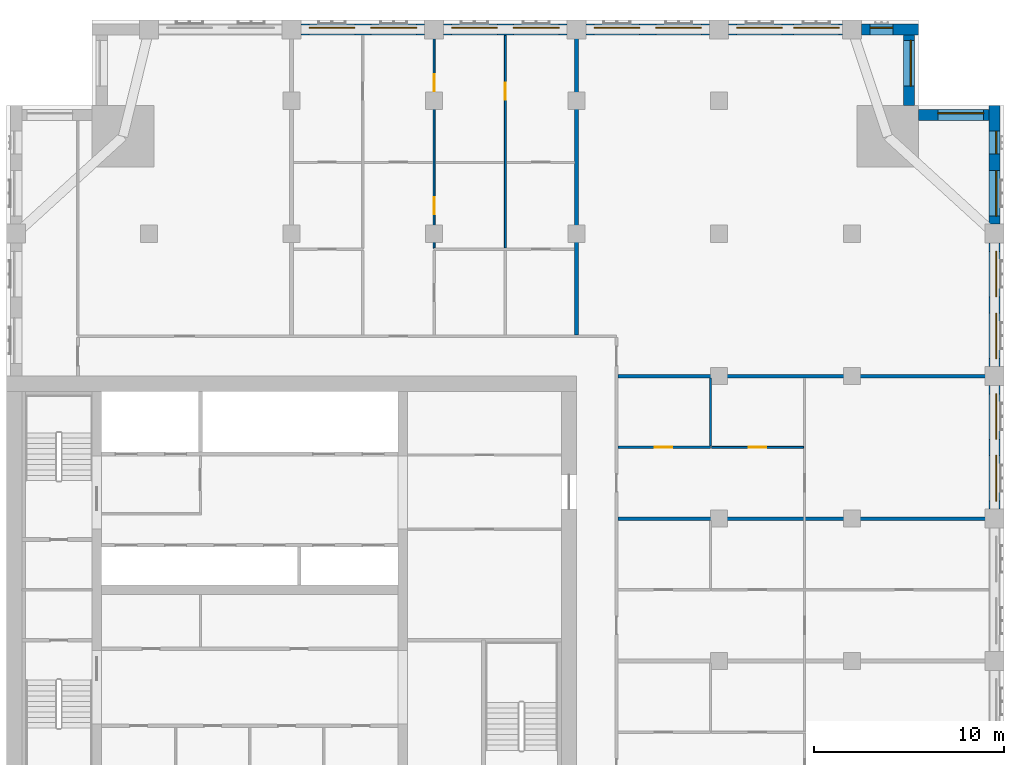
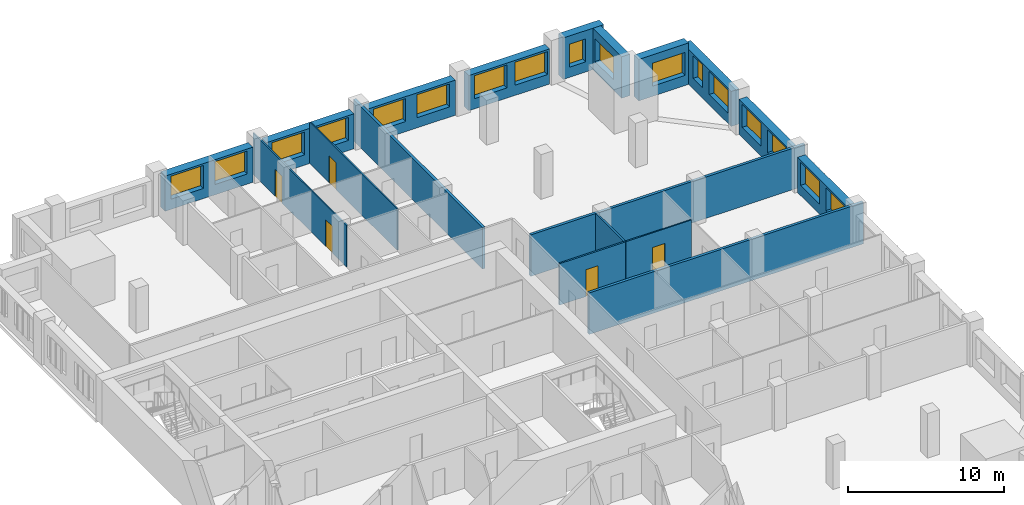
# One storey, part 11 of 14: 18 walls, 17 windows, 5 doors, 22 openings.
"""IFC4 building model written with IfcOpenShell, lengths in metres."""

import ifcopenshell
import ifcopenshell.guid

model = None  # the IFC model being written
_history = None  # IfcOwnerHistory: only IFC2X3 demands one
_inside = {}  # id of a spatial element -> (the spatial element, [elements in it])
_under = {}  # id of a project, library or spatial element -> (it, [spatial elements below it])
_declared = {}  # id of a project -> (the project, [libraries it declares])
_typed = {}  # id of a type object -> (the type object, [elements of that type])
_made_of = {}  # id of a material, layer set ... -> (it, [elements and type objects made of it])


def new_model(schema):
    """Start an empty IFC model of exactly this schema.

    Asked for "IFC4X3", IfcOpenShell would pick the latest addendum, in which some entities
    have other attributes; the version numbers below select the first issue.
    IFC2X3 requires an IfcOwnerHistory on every rooted entity: one is made here for all.
    """
    global model, _history
    if schema == "IFC4X3":
        model = ifcopenshell.file(schema_version=(4, 3, 0, 0))
    else:
        model = ifcopenshell.file(schema=schema)
    _inside.clear()
    _under.clear()
    _declared.clear()
    _typed.clear()
    _made_of.clear()
    _history = None
    if model.schema == "IFC2X3":
        org = make("IfcOrganization", Name="unknown")
        user = make(
            "IfcPersonAndOrganization",
            ThePerson=make("IfcPerson", FamilyName="unknown"),
            TheOrganization=org,
        )
        app = make(
            "IfcApplication",
            ApplicationDeveloper=org,
            Version="unknown",
            ApplicationFullName="unknown",
            ApplicationIdentifier="unknown",
        )
        _history = make(
            "IfcOwnerHistory",
            OwningUser=user,
            OwningApplication=app,
            ChangeAction="ADDED",
            CreationDate=0,
        )
    return model


def make(cls, **values):
    """One entity of the class cls with the attributes given. An attribute that is None is left unset."""
    return model.create_entity(
        cls, **{name: value for name, value in values.items() if value is not None}
    )


def rooted(cls, **values):
    """An entity with a GlobalId (a new one), such as an element, a storey or a relation."""
    return make(cls, GlobalId=ifcopenshell.guid.new(), OwnerHistory=_history, **values)


def si_unit(unit_type, name, prefix=None):
    """IfcSIUnit, for example si_unit("LENGTHUNIT", "METRE", prefix="MILLI")."""
    return make("IfcSIUnit", UnitType=unit_type, Prefix=prefix, Name=name)


def assignment(units):
    """IfcUnitAssignment: the units of a project."""
    return None if units is None else make("IfcUnitAssignment", Units=units)


def point(xyz):
    """IfcCartesianPoint."""
    return None if xyz is None else make("IfcCartesianPoint", Coordinates=xyz)


def direction(xyz):
    """IfcDirection."""
    return None if xyz is None else make("IfcDirection", DirectionRatios=xyz)


def frame(location, z_axis=None, x_axis=None):
    """IfcAxis2Placement3D, a coordinate frame: its origin and axes. An axis left out is left unset."""
    return make(
        "IfcAxis2Placement3D",
        Location=point(location),
        Axis=direction(z_axis),
        RefDirection=direction(x_axis),
    )


def frame_2d(location, x_axis=None):
    """IfcAxis2Placement2D, a coordinate frame in the plane: its origin and x axis."""
    return make(
        "IfcAxis2Placement2D", Location=point(location), RefDirection=direction(x_axis)
    )


def origin():
    """The frame at (0, 0, 0) with its axes left unset."""
    return frame((0.0, 0.0, 0.0))


def place(relative_to, where):
    """IfcLocalPlacement: puts the frame where relative to a parent placement (None: the world)."""
    return make(
        "IfcLocalPlacement", PlacementRelTo=relative_to, RelativePlacement=where
    )


def context(
    kind, dimensions, precision=None, world=None, true_north=None, identifier=None
):
    """IfcGeometricRepresentationContext, for example the 3D "Model" context."""
    return make(
        "IfcGeometricRepresentationContext",
        ContextIdentifier=identifier,
        ContextType=kind,
        CoordinateSpaceDimension=dimensions,
        Precision=precision,
        WorldCoordinateSystem=world,
        TrueNorth=true_north,
    )


def subcontext(parent, identifier, kind, view, scale=None):
    """IfcGeometricRepresentationSubContext, for example "Body" below "Model"."""
    return make(
        "IfcGeometricRepresentationSubContext",
        ContextIdentifier=identifier,
        ContextType=kind,
        ParentContext=parent,
        TargetScale=scale,
        TargetView=view,
    )


def project(units=None, contexts=None):
    """IfcProject with its units and contexts."""
    return rooted(
        "IfcProject",
        Name="project",
        RepresentationContexts=contexts,
        UnitsInContext=assignment(units),
    )


def spatial(cls, under=None, at=None, **own):
    """A site, building, storey or space (cls), placed at a placement, below another one or the project."""
    s = rooted(cls, ObjectPlacement=at, **own)
    if under is not None:
        _under.setdefault(under.id(), (under, []))[1].append(s)
    return s


def profile(cls, at=None, kind="AREA", **sizes):
    """A parametric profile (cls). Its sizes go by their IFC names, for example OverallWidth=200.0."""
    return make(cls, ProfileType=kind, Position=at, **sizes)


def rectangle(**sizes):
    """IfcRectangleProfileDef."""
    return profile("IfcRectangleProfileDef", **sizes)


def extrude(swept, where, along, depth):
    """IfcExtrudedAreaSolid: the profile swept, set in the frame where, extruded along a direction by depth."""
    return make(
        "IfcExtrudedAreaSolid",
        SweptArea=swept,
        Position=where,
        ExtrudedDirection=direction(along),
        Depth=depth,
    )


def shape(context_of_items, identifier, shape_type, items):
    """IfcShapeRepresentation: the items that make up one representation, for example the "Body"."""
    return make(
        "IfcShapeRepresentation",
        ContextOfItems=context_of_items,
        RepresentationIdentifier=identifier,
        RepresentationType=shape_type,
        Items=items,
    )


def material(Name=None, Category=None):
    """IfcMaterial."""
    return make("IfcMaterial", Name=Name, Category=Category)


def layer(
    of_material, thickness, ventilated=None, Name=None, Category=None, Priority=None
):
    """IfcMaterialLayer: one layer of a wall or slab, of a material (None: an air gap)."""
    return make(
        "IfcMaterialLayer",
        Material=of_material,
        LayerThickness=thickness,
        IsVentilated=ventilated,
        Name=Name,
        Category=Category,
        Priority=Priority,
    )


def layer_set(layers, Name=None):
    """IfcMaterialLayerSet."""
    return make("IfcMaterialLayerSet", MaterialLayers=layers, LayerSetName=Name)


def made_of(thing, what):
    """Note that an element or type object is made of a material, layer set ...; save() writes the relation."""
    if what is not None:
        _made_of.setdefault(what.id(), (what, []))[1].append(thing)
    return thing


def type_object(cls, material=None, **own):
    """A type object (cls), such as IfcWallType, which elements share."""
    return made_of(rooted(cls, **own), material)


def element(
    cls,
    number,
    at=None,
    inside=None,
    cuts=None,
    type_object=None,
    material=None,
    context=None,
    identifier="Body",
    shape_type=None,
    held_by="IfcProductDefinitionShape",
    body=None,
    shapes=None,
    **own,
):
    """One element of the class cls, such as IfcWall. Its Tag is "e" and its number.

    at: its placement. inside: the storey or other place that contains it. cuts: it is an
    opening in that element (IfcRelVoidsElement). A single representation is given by context,
    identifier, shape_type and body (its items); several are given by shapes. held_by: the class
    of the entity that holds the representations. save() writes the other relations.
    """
    e = rooted(cls, Tag="e%d" % number, ObjectPlacement=at, **own)
    if body is not None:
        shapes = [shape(context, identifier, shape_type, body)]
    if shapes is not None:
        e.Representation = make(held_by, Representations=shapes)
    if inside is not None:
        _inside.setdefault(inside.id(), (inside, []))[1].append(e)
    if cuts is not None:
        rooted(
            "IfcRelVoidsElement", RelatingBuildingElement=cuts, RelatedOpeningElement=e
        )
    if type_object is not None:
        _typed.setdefault(type_object.id(), (type_object, []))[1].append(e)
    return made_of(e, material)


def fill(opening, filler):
    """IfcRelFillsElement: the door or window that sits in an opening."""
    return rooted(
        "IfcRelFillsElement",
        RelatingOpeningElement=opening,
        RelatedBuildingElement=filler,
    )


def aggregate(whole, parts):
    """IfcRelAggregates: a whole, such as a stair, and the parts it consists of."""
    return rooted("IfcRelAggregates", RelatingObject=whole, RelatedObjects=parts)


def save(model, path):
    """Write the relations noted so far, then the file.

    IfcRelAggregates (storeys below a building ...), IfcRelContainedInSpatialStructure (elements
    in a storey), IfcRelDefinesByType, IfcRelAssociatesMaterial and IfcRelDeclares: one each for
    every whole, place, type object, material and project.
    """
    for whole, parts in _under.values():
        aggregate(whole, parts)
    for where, things in _inside.values():
        rooted(
            "IfcRelContainedInSpatialStructure",
            RelatedElements=things,
            RelatingStructure=where,
        )
    for kind, things in _typed.values():
        rooted("IfcRelDefinesByType", RelatedObjects=things, RelatingType=kind)
    for what, things in _made_of.values():
        rooted("IfcRelAssociatesMaterial", RelatedObjects=things, RelatingMaterial=what)
    for by, libraries in _declared.values():
        rooted("IfcRelDeclares", RelatingContext=by, RelatedDefinitions=libraries)
    model.write(path)


model = new_model("IFC4")

# Units and contexts
model_context = context("Model", 3, precision=1e-05, world=origin(), true_north=direction((0.0, 1.0)))
body_context = subcontext(model_context, "Body", "Model", "MODEL_VIEW")
ifc_project = project(units=[si_unit("LENGTHUNIT", "METRE"), si_unit("AREAUNIT", "SQUARE_METRE"), si_unit("VOLUMEUNIT", "CUBIC_METRE"), si_unit("PLANEANGLEUNIT", "RADIAN"), si_unit("MASSUNIT", "GRAM", prefix="KILO")], contexts=[model_context])

# Site, building, storey
site_placement = place(None, origin())
site = spatial("IfcSite", under=ifc_project, at=site_placement, CompositionType="ELEMENT")
building_placement = place(site_placement, origin())
building = spatial("IfcBuilding", under=site, at=building_placement, Name="Tamorin Gate", CompositionType="ELEMENT")
storey_placement = place(building_placement, frame((0.0, 0.0, 186.199951171875)))
storey = spatial("IfcBuildingStorey", under=building, at=storey_placement, Name="L45", CompositionType="ELEMENT", Elevation=186.199951171875)

# Wall, openings, windows
ifc_material_1 = material(Name="Precast concrete C40/50", Category="concrete")
ifc_layer_1 = layer(ifc_material_1, 0.60009765625)
ifc_layer_set_1 = layer_set([ifc_layer_1], Name="Precast concrete C40/50")
wall_type_1 = type_object("IfcWallType", Name="Board-marked concrete facade panel 600", PredefinedType="SOLIDWALL", material=ifc_layer_set_1)
wall_1_placement = place(storey_placement, frame((82.0, 75.5, 0.0), z_axis=(0.0, 0.0, 1.0), x_axis=(0.0, 1.0, 0.0)))
wall_1 = element("IfcWall", 1, at=wall_1_placement, inside=storey, type_object=wall_type_1, Name="Facade panel", PredefinedType="SOLIDWALL", context=body_context, shape_type="SweptSolid", body=[
    extrude(rectangle(XDim=6.5, YDim=0.60009765625, at=frame_2d((3.25, 0.0))), origin(), (0.0, 0.0, 1.0), 2.75),
])
opening_1_placement = place(wall_1_placement, frame((0.425048828125, 0.0, 0.800048828125)))
opening_1 = element("IfcOpeningElement", 2, at=opening_1_placement, cuts=wall_1, Name="Opening WN1", PredefinedType="OPENING", context=body_context, shape_type="SweptSolid", body=[
    extrude(rectangle(XDim=2.39990234375, YDim=1.800048828125, at=frame_2d((1.199951171875, 0.89990234375))), frame((0.0, 0.31005859375, 0.0), z_axis=(0.0, -1.0, 0.0), x_axis=(1.0, 0.0, 0.0)), (0.0, 0.0, 1.0), 0.6201171875),
])
opening_2_placement = place(wall_1_placement, frame((3.675048828125, 0.0, 0.800048828125)))
opening_2 = element("IfcOpeningElement", 3, at=opening_2_placement, cuts=wall_1, Name="Opening WN1", PredefinedType="OPENING", context=body_context, shape_type="SweptSolid", body=[
    extrude(rectangle(XDim=2.39990234375, YDim=1.800048828125, at=frame_2d((1.199951171875, 0.89990234375))), frame((0.0, 0.31005859375, 0.0), z_axis=(0.0, -1.0, 0.0), x_axis=(1.0, 0.0, 0.0)), (0.0, 0.0, 1.0), 0.6201171875),
])
ifc_material_2 = material(Name="Clear glass in aluminium frame", Category="aluminium")
window_type_1 = type_object("IfcWindowType", Name="Deep-set window 2400x1800", PartitioningType="SINGLE_PANEL", PredefinedType="WINDOW", material=ifc_material_2)
window_1_placement = place(opening_1_placement, origin())
window_1 = element("IfcWindow", 4, at=window_1_placement, inside=storey, type_object=window_type_1, Name="Deep-set window", OverallHeight=1.800048828125, OverallWidth=2.39990234375, PartitioningType="SINGLE_PANEL", PredefinedType="WINDOW", context=body_context, shape_type="SweptSolid", body=[
    extrude(rectangle(XDim=2.39990234375, YDim=1.800048828125, at=frame_2d((1.199951171875, 0.89990234375))), frame((0.0, -0.070068359375, 0.0), z_axis=(0.0, -1.0, 0.0), x_axis=(1.0, 0.0, 0.0)), (0.0, 0.0, 1.0), 0.06005859375),
])
fill(opening_1, window_1)
window_2_placement = place(opening_2_placement, origin())
window_2 = element("IfcWindow", 5, at=window_2_placement, inside=storey, type_object=window_type_1, Name="Deep-set window", OverallHeight=1.800048828125, OverallWidth=2.39990234375, PartitioningType="SINGLE_PANEL", PredefinedType="WINDOW", context=body_context, shape_type="SweptSolid", body=[
    extrude(rectangle(XDim=2.39990234375, YDim=1.800048828125, at=frame_2d((1.199951171875, 0.89990234375))), frame((0.0, -0.070068359375, 0.0), z_axis=(0.0, -1.0, 0.0), x_axis=(1.0, 0.0, 0.0)), (0.0, 0.0, 1.0), 0.06005859375),
])
fill(opening_2, window_2)

wall_2_placement = place(storey_placement, frame((82.0, 83.0, 0.0), z_axis=(0.0, 0.0, 1.0), x_axis=(0.0, 1.0, 0.0)))
wall_2 = element("IfcWall", 6, at=wall_2_placement, inside=storey, type_object=wall_type_1, Name="Facade panel", PredefinedType="SOLIDWALL", context=body_context, shape_type="SweptSolid", body=[
    extrude(rectangle(XDim=6.5, YDim=0.60009765625, at=frame_2d((3.25, 0.0))), origin(), (0.0, 0.0, 1.0), 2.75),
])
opening_3_placement = place(wall_2_placement, frame((0.425048828125, 0.0, 0.800048828125)))
opening_3 = element("IfcOpeningElement", 7, at=opening_3_placement, cuts=wall_2, Name="Opening WN1", PredefinedType="OPENING", context=body_context, shape_type="SweptSolid", body=[
    extrude(rectangle(XDim=2.39990234375, YDim=1.800048828125, at=frame_2d((1.199951171875, 0.89990234375))), frame((0.0, 0.31005859375, 0.0), z_axis=(0.0, -1.0, 0.0), x_axis=(1.0, 0.0, 0.0)), (0.0, 0.0, 1.0), 0.6201171875),
])
opening_4_placement = place(wall_2_placement, frame((3.675048828125, 0.0, 0.800048828125)))
opening_4 = element("IfcOpeningElement", 8, at=opening_4_placement, cuts=wall_2, Name="Opening WN1", PredefinedType="OPENING", context=body_context, shape_type="SweptSolid", body=[
    extrude(rectangle(XDim=2.39990234375, YDim=1.800048828125, at=frame_2d((1.199951171875, 0.89990234375))), frame((0.0, 0.31005859375, 0.0), z_axis=(0.0, -1.0, 0.0), x_axis=(1.0, 0.0, 0.0)), (0.0, 0.0, 1.0), 0.6201171875),
])
window_3_placement = place(opening_3_placement, origin())
window_3 = element("IfcWindow", 9, at=window_3_placement, inside=storey, type_object=window_type_1, Name="Deep-set window", OverallHeight=1.800048828125, OverallWidth=2.39990234375, PartitioningType="SINGLE_PANEL", PredefinedType="WINDOW", context=body_context, shape_type="SweptSolid", body=[
    extrude(rectangle(XDim=2.39990234375, YDim=1.800048828125, at=frame_2d((1.199951171875, 0.89990234375))), frame((0.0, -0.070068359375, 0.0), z_axis=(0.0, -1.0, 0.0), x_axis=(1.0, 0.0, 0.0)), (0.0, 0.0, 1.0), 0.06005859375),
])
fill(opening_3, window_3)
window_4_placement = place(opening_4_placement, origin())
window_4 = element("IfcWindow", 10, at=window_4_placement, inside=storey, type_object=window_type_1, Name="Deep-set window", OverallHeight=1.800048828125, OverallWidth=2.39990234375, PartitioningType="SINGLE_PANEL", PredefinedType="WINDOW", context=body_context, shape_type="SweptSolid", body=[
    extrude(rectangle(XDim=2.39990234375, YDim=1.800048828125, at=frame_2d((1.199951171875, 0.89990234375))), frame((0.0, -0.070068359375, 0.0), z_axis=(0.0, -1.0, 0.0), x_axis=(1.0, 0.0, 0.0)), (0.0, 0.0, 1.0), 0.06005859375),
])
fill(opening_4, window_4)

wall_3_placement = place(storey_placement, frame((82.0, 90.5, 0.0), z_axis=(0.0, 0.0, 1.0), x_axis=(0.0, 1.0, 0.0)))
wall_3 = element("IfcWall", 11, at=wall_3_placement, inside=storey, type_object=wall_type_1, Name="Facade panel", PredefinedType="SOLIDWALL", context=body_context, shape_type="SweptSolid", body=[
    extrude(rectangle(XDim=6.25, YDim=0.60009765625, at=frame_2d((3.125, 0.0))), origin(), (0.0, 0.0, 1.0), 2.75),
])
opening_5_placement = place(wall_3_placement, frame((0.425048828125, 0.0, 0.800048828125)))
opening_5 = element("IfcOpeningElement", 12, at=opening_5_placement, cuts=wall_3, Name="Opening WN1", PredefinedType="OPENING", context=body_context, shape_type="SweptSolid", body=[
    extrude(rectangle(XDim=2.39990234375, YDim=1.800048828125, at=frame_2d((1.199951171875, 0.89990234375))), frame((0.0, 0.31005859375, 0.0), z_axis=(0.0, -1.0, 0.0), x_axis=(1.0, 0.0, 0.0)), (0.0, 0.0, 1.0), 0.6201171875),
])
opening_6_placement = place(wall_3_placement, frame((3.699951171875, 0.0, 0.800048828125)))
opening_6 = element("IfcOpeningElement", 13, at=opening_6_placement, cuts=wall_3, Name="Opening WN3", PredefinedType="OPENING", context=body_context, shape_type="SweptSolid", body=[
    extrude(rectangle(XDim=1.199951171875, YDim=1.800048828125, at=frame_2d((0.60009765625, 0.89990234375))), frame((0.0, 0.31005859375, 0.0), z_axis=(0.0, -1.0, 0.0), x_axis=(1.0, 0.0, 0.0)), (0.0, 0.0, 1.0), 0.6201171875),
])
window_type_2 = type_object("IfcWindowType", Name="Deep-set window 1200x1800", PartitioningType="SINGLE_PANEL", PredefinedType="WINDOW", material=ifc_material_2)
window_5_placement = place(opening_6_placement, origin())
window_5 = element("IfcWindow", 14, at=window_5_placement, inside=storey, type_object=window_type_2, Name="Deep-set window", OverallHeight=1.800048828125, OverallWidth=1.199951171875, PartitioningType="SINGLE_PANEL", PredefinedType="WINDOW", context=body_context, shape_type="SweptSolid", body=[
    extrude(rectangle(XDim=1.199951171875, YDim=1.800048828125, at=frame_2d((0.60009765625, 0.89990234375))), frame((0.0, -0.070068359375, 0.0), z_axis=(0.0, -1.0, 0.0), x_axis=(1.0, 0.0, 0.0)), (0.0, 0.0, 1.0), 0.06005859375),
])
fill(opening_6, window_5)
window_6_placement = place(opening_5_placement, origin())
window_6 = element("IfcWindow", 15, at=window_6_placement, inside=storey, type_object=window_type_1, Name="Deep-set window", OverallHeight=1.800048828125, OverallWidth=2.39990234375, PartitioningType="SINGLE_PANEL", PredefinedType="WINDOW", context=body_context, shape_type="SweptSolid", body=[
    extrude(rectangle(XDim=2.39990234375, YDim=1.800048828125, at=frame_2d((1.199951171875, 0.89990234375))), frame((0.0, -0.070068359375, 0.0), z_axis=(0.0, -1.0, 0.0), x_axis=(1.0, 0.0, 0.0)), (0.0, 0.0, 1.0), 0.06005859375),
])
fill(opening_5, window_6)

# Wall, opening, window
wall_4_placement = place(storey_placement, frame((81.699951171875, 96.25, 0.0), z_axis=(0.0, 0.0, 1.0), x_axis=(-1.0, 0.0, 0.0)))
wall_4 = element("IfcWall", 16, at=wall_4_placement, inside=storey, type_object=wall_type_1, Name="Facade panel", PredefinedType="SOLIDWALL", context=body_context, shape_type="SweptSolid", body=[
    extrude(rectangle(XDim=3.699951171875, YDim=0.60009765625, at=frame_2d((1.85009765625, 0.0))), origin(), (0.0, 0.0, 1.0), 3.25),
])
opening_7_placement = place(wall_4_placement, frame((0.27490234375, 0.0, 0.800048828125)))
opening_7 = element("IfcOpeningElement", 17, at=opening_7_placement, cuts=wall_4, Name="Opening WN1", PredefinedType="OPENING", context=body_context, shape_type="SweptSolid", body=[
    extrude(rectangle(XDim=2.39990234375, YDim=1.800048828125, at=frame_2d((1.199951171875, 0.89990234375))), frame((0.0, 0.31005859375, 0.0), z_axis=(0.0, -1.0, 0.0), x_axis=(1.0, 0.0, 0.0)), (0.0, 0.0, 1.0), 0.6201171875),
])
window_7_placement = place(opening_7_placement, origin())
window_7 = element("IfcWindow", 18, at=window_7_placement, inside=storey, type_object=window_type_1, Name="Deep-set window", OverallHeight=1.800048828125, OverallWidth=2.39990234375, PartitioningType="SINGLE_PANEL", PredefinedType="WINDOW", context=body_context, shape_type="SweptSolid", body=[
    extrude(rectangle(XDim=2.39990234375, YDim=1.800048828125, at=frame_2d((1.199951171875, 0.89990234375))), frame((0.0, -0.070068359375, 0.0), z_axis=(0.0, -1.0, 0.0), x_axis=(1.0, 0.0, 0.0)), (0.0, 0.0, 1.0), 0.06005859375),
])
fill(opening_7, window_7)

wall_5_placement = place(storey_placement, frame((77.5, 96.75, 0.0), z_axis=(0.0, 0.0, 1.0), x_axis=(0.0, 1.0, 0.0)))
wall_5 = element("IfcWall", 19, at=wall_5_placement, inside=storey, type_object=wall_type_1, Name="Facade panel", PredefinedType="SOLIDWALL", context=body_context, shape_type="SweptSolid", body=[
    extrude(rectangle(XDim=3.699951171875, YDim=0.60009765625, at=frame_2d((1.85009765625, 0.0))), origin(), (0.0, 0.0, 1.0), 3.25),
])
opening_8_placement = place(wall_5_placement, frame((1.02490234375, 0.0, 0.800048828125)))
opening_8 = element("IfcOpeningElement", 20, at=opening_8_placement, cuts=wall_5, Name="Opening WN1", PredefinedType="OPENING", context=body_context, shape_type="SweptSolid", body=[
    extrude(rectangle(XDim=2.39990234375, YDim=1.800048828125, at=frame_2d((1.199951171875, 0.89990234375))), frame((0.0, 0.31005859375, 0.0), z_axis=(0.0, -1.0, 0.0), x_axis=(1.0, 0.0, 0.0)), (0.0, 0.0, 1.0), 0.6201171875),
])
window_8_placement = place(opening_8_placement, origin())
window_8 = element("IfcWindow", 21, at=window_8_placement, inside=storey, type_object=window_type_1, Name="Deep-set window", OverallHeight=1.800048828125, OverallWidth=2.39990234375, PartitioningType="SINGLE_PANEL", PredefinedType="WINDOW", context=body_context, shape_type="SweptSolid", body=[
    extrude(rectangle(XDim=2.39990234375, YDim=1.800048828125, at=frame_2d((1.199951171875, 0.89990234375))), frame((0.0, -0.070068359375, 0.0), z_axis=(0.0, -1.0, 0.0), x_axis=(1.0, 0.0, 0.0)), (0.0, 0.0, 1.0), 0.06005859375),
])
fill(opening_8, window_8)

wall_6_placement = place(storey_placement, frame((78.0, 100.75, 0.0), z_axis=(0.0, 0.0, 1.0), x_axis=(-1.0, 0.0, 0.0)))
wall_6 = element("IfcWall", 22, at=wall_6_placement, inside=storey, type_object=wall_type_1, Name="Facade panel", PredefinedType="SOLIDWALL", context=body_context, shape_type="SweptSolid", body=[
    extrude(rectangle(XDim=3.0, YDim=0.60009765625, at=frame_2d((1.5, 0.0))), origin(), (0.0, 0.0, 1.0), 3.25),
])
opening_9_placement = place(wall_6_placement, frame((1.35009765625, 0.0, 0.800048828125)))
opening_9 = element("IfcOpeningElement", 23, at=opening_9_placement, cuts=wall_6, Name="Opening WN3", PredefinedType="OPENING", context=body_context, shape_type="SweptSolid", body=[
    extrude(rectangle(XDim=1.199951171875, YDim=1.800048828125, at=frame_2d((0.60009765625, 0.89990234375))), frame((0.0, 0.31005859375, 0.0), z_axis=(0.0, -1.0, 0.0), x_axis=(1.0, 0.0, 0.0)), (0.0, 0.0, 1.0), 0.6201171875),
])
window_9_placement = place(opening_9_placement, origin())
window_9 = element("IfcWindow", 24, at=window_9_placement, inside=storey, type_object=window_type_2, Name="Deep-set window", OverallHeight=1.800048828125, OverallWidth=1.199951171875, PartitioningType="SINGLE_PANEL", PredefinedType="WINDOW", context=body_context, shape_type="SweptSolid", body=[
    extrude(rectangle(XDim=1.199951171875, YDim=1.800048828125, at=frame_2d((0.60009765625, 0.89990234375))), frame((0.0, -0.070068359375, 0.0), z_axis=(0.0, -1.0, 0.0), x_axis=(1.0, 0.0, 0.0)), (0.0, 0.0, 1.0), 0.06005859375),
])
fill(opening_9, window_9)

# Wall, openings, windows
wall_7_placement = place(storey_placement, frame((74.0, 100.75, 0.0), z_axis=(0.0, 0.0, 1.0), x_axis=(-1.0, 0.0, 0.0)))
wall_7 = element("IfcWall", 25, at=wall_7_placement, inside=storey, type_object=wall_type_1, Name="Facade panel", PredefinedType="SOLIDWALL", context=body_context, shape_type="SweptSolid", body=[
    extrude(rectangle(XDim=6.0, YDim=0.60009765625, at=frame_2d((3.0, 0.0))), origin(), (0.0, 0.0, 1.0), 2.75),
])
opening_10_placement = place(wall_7_placement, frame((3.175048828125, 0.0, 0.800048828125)))
opening_10 = element("IfcOpeningElement", 26, at=opening_10_placement, cuts=wall_7, Name="Opening WN1", PredefinedType="OPENING", context=body_context, shape_type="SweptSolid", body=[
    extrude(rectangle(XDim=2.39990234375, YDim=1.800048828125, at=frame_2d((1.199951171875, 0.89990234375))), frame((0.0, 0.31005859375, 0.0), z_axis=(0.0, -1.0, 0.0), x_axis=(1.0, 0.0, 0.0)), (0.0, 0.0, 1.0), 0.6201171875),
])
opening_11_placement = place(wall_7_placement, frame((0.175048828125, 0.0, 0.800048828125)))
opening_11 = element("IfcOpeningElement", 27, at=opening_11_placement, cuts=wall_7, Name="Opening WN1", PredefinedType="OPENING", context=body_context, shape_type="SweptSolid", body=[
    extrude(rectangle(XDim=2.39990234375, YDim=1.800048828125, at=frame_2d((1.199951171875, 0.89990234375))), frame((0.0, 0.31005859375, 0.0), z_axis=(0.0, -1.0, 0.0), x_axis=(1.0, 0.0, 0.0)), (0.0, 0.0, 1.0), 0.6201171875),
])
window_10_placement = place(opening_10_placement, origin())
window_10 = element("IfcWindow", 28, at=window_10_placement, inside=storey, type_object=window_type_1, Name="Deep-set window", OverallHeight=1.800048828125, OverallWidth=2.39990234375, PartitioningType="SINGLE_PANEL", PredefinedType="WINDOW", context=body_context, shape_type="SweptSolid", body=[
    extrude(rectangle(XDim=2.39990234375, YDim=1.800048828125, at=frame_2d((1.199951171875, 0.89990234375))), frame((0.0, -0.070068359375, 0.0), z_axis=(0.0, -1.0, 0.0), x_axis=(1.0, 0.0, 0.0)), (0.0, 0.0, 1.0), 0.06005859375),
])
fill(opening_10, window_10)
window_11_placement = place(opening_11_placement, origin())
window_11 = element("IfcWindow", 29, at=window_11_placement, inside=storey, type_object=window_type_1, Name="Deep-set window", OverallHeight=1.800048828125, OverallWidth=2.39990234375, PartitioningType="SINGLE_PANEL", PredefinedType="WINDOW", context=body_context, shape_type="SweptSolid", body=[
    extrude(rectangle(XDim=2.39990234375, YDim=1.800048828125, at=frame_2d((1.199951171875, 0.89990234375))), frame((0.0, -0.070068359375, 0.0), z_axis=(0.0, -1.0, 0.0), x_axis=(1.0, 0.0, 0.0)), (0.0, 0.0, 1.0), 0.06005859375),
])
fill(opening_11, window_11)

wall_8_placement = place(storey_placement, frame((67.0, 100.75, 0.0), z_axis=(0.0, 0.0, 1.0), x_axis=(-1.0, 0.0, 0.0)))
wall_8 = element("IfcWall", 30, at=wall_8_placement, inside=storey, type_object=wall_type_1, Name="Facade panel", PredefinedType="SOLIDWALL", context=body_context, shape_type="SweptSolid", body=[
    extrude(rectangle(XDim=6.5, YDim=0.60009765625, at=frame_2d((3.25, 0.0))), origin(), (0.0, 0.0, 1.0), 2.75),
])
opening_12_placement = place(wall_8_placement, frame((3.675048828125, 0.0, 0.800048828125)))
opening_12 = element("IfcOpeningElement", 31, at=opening_12_placement, cuts=wall_8, Name="Opening WN1", PredefinedType="OPENING", context=body_context, shape_type="SweptSolid", body=[
    extrude(rectangle(XDim=2.39990234375, YDim=1.800048828125, at=frame_2d((1.199951171875, 0.89990234375))), frame((0.0, 0.31005859375, 0.0), z_axis=(0.0, -1.0, 0.0), x_axis=(1.0, 0.0, 0.0)), (0.0, 0.0, 1.0), 0.6201171875),
])
opening_13_placement = place(wall_8_placement, frame((0.425048828125, 0.0, 0.800048828125)))
opening_13 = element("IfcOpeningElement", 32, at=opening_13_placement, cuts=wall_8, Name="Opening WN1", PredefinedType="OPENING", context=body_context, shape_type="SweptSolid", body=[
    extrude(rectangle(XDim=2.39990234375, YDim=1.800048828125, at=frame_2d((1.199951171875, 0.89990234375))), frame((0.0, 0.31005859375, 0.0), z_axis=(0.0, -1.0, 0.0), x_axis=(1.0, 0.0, 0.0)), (0.0, 0.0, 1.0), 0.6201171875),
])
window_12_placement = place(opening_12_placement, origin())
window_12 = element("IfcWindow", 33, at=window_12_placement, inside=storey, type_object=window_type_1, Name="Deep-set window", OverallHeight=1.800048828125, OverallWidth=2.39990234375, PartitioningType="SINGLE_PANEL", PredefinedType="WINDOW", context=body_context, shape_type="SweptSolid", body=[
    extrude(rectangle(XDim=2.39990234375, YDim=1.800048828125, at=frame_2d((1.199951171875, 0.89990234375))), frame((0.0, -0.070068359375, 0.0), z_axis=(0.0, -1.0, 0.0), x_axis=(1.0, 0.0, 0.0)), (0.0, 0.0, 1.0), 0.06005859375),
])
fill(opening_12, window_12)
window_13_placement = place(opening_13_placement, origin())
window_13 = element("IfcWindow", 34, at=window_13_placement, inside=storey, type_object=window_type_1, Name="Deep-set window", OverallHeight=1.800048828125, OverallWidth=2.39990234375, PartitioningType="SINGLE_PANEL", PredefinedType="WINDOW", context=body_context, shape_type="SweptSolid", body=[
    extrude(rectangle(XDim=2.39990234375, YDim=1.800048828125, at=frame_2d((1.199951171875, 0.89990234375))), frame((0.0, -0.070068359375, 0.0), z_axis=(0.0, -1.0, 0.0), x_axis=(1.0, 0.0, 0.0)), (0.0, 0.0, 1.0), 0.06005859375),
])
fill(opening_13, window_13)

wall_9_placement = place(storey_placement, frame((59.5, 100.75, 0.0), z_axis=(0.0, 0.0, 1.0), x_axis=(-1.0, 0.0, 0.0)))
wall_9 = element("IfcWall", 35, at=wall_9_placement, inside=storey, type_object=wall_type_1, Name="Facade panel", PredefinedType="SOLIDWALL", context=body_context, shape_type="SweptSolid", body=[
    extrude(rectangle(XDim=6.5, YDim=0.60009765625, at=frame_2d((3.25, 0.0))), origin(), (0.0, 0.0, 1.0), 2.75),
])
opening_14_placement = place(wall_9_placement, frame((3.675048828125, 0.0, 0.800048828125)))
opening_14 = element("IfcOpeningElement", 36, at=opening_14_placement, cuts=wall_9, Name="Opening WN1", PredefinedType="OPENING", context=body_context, shape_type="SweptSolid", body=[
    extrude(rectangle(XDim=2.39990234375, YDim=1.800048828125, at=frame_2d((1.199951171875, 0.89990234375))), frame((0.0, 0.31005859375, 0.0), z_axis=(0.0, -1.0, 0.0), x_axis=(1.0, 0.0, 0.0)), (0.0, 0.0, 1.0), 0.6201171875),
])
opening_15_placement = place(wall_9_placement, frame((0.425048828125, 0.0, 0.800048828125)))
opening_15 = element("IfcOpeningElement", 37, at=opening_15_placement, cuts=wall_9, Name="Opening WN1", PredefinedType="OPENING", context=body_context, shape_type="SweptSolid", body=[
    extrude(rectangle(XDim=2.39990234375, YDim=1.800048828125, at=frame_2d((1.199951171875, 0.89990234375))), frame((0.0, 0.31005859375, 0.0), z_axis=(0.0, -1.0, 0.0), x_axis=(1.0, 0.0, 0.0)), (0.0, 0.0, 1.0), 0.6201171875),
])
window_14_placement = place(opening_14_placement, origin())
window_14 = element("IfcWindow", 38, at=window_14_placement, inside=storey, type_object=window_type_1, Name="Deep-set window", OverallHeight=1.800048828125, OverallWidth=2.39990234375, PartitioningType="SINGLE_PANEL", PredefinedType="WINDOW", context=body_context, shape_type="SweptSolid", body=[
    extrude(rectangle(XDim=2.39990234375, YDim=1.800048828125, at=frame_2d((1.199951171875, 0.89990234375))), frame((0.0, -0.070068359375, 0.0), z_axis=(0.0, -1.0, 0.0), x_axis=(1.0, 0.0, 0.0)), (0.0, 0.0, 1.0), 0.06005859375),
])
fill(opening_14, window_14)
window_15_placement = place(opening_15_placement, origin())
window_15 = element("IfcWindow", 39, at=window_15_placement, inside=storey, type_object=window_type_1, Name="Deep-set window", OverallHeight=1.800048828125, OverallWidth=2.39990234375, PartitioningType="SINGLE_PANEL", PredefinedType="WINDOW", context=body_context, shape_type="SweptSolid", body=[
    extrude(rectangle(XDim=2.39990234375, YDim=1.800048828125, at=frame_2d((1.199951171875, 0.89990234375))), frame((0.0, -0.070068359375, 0.0), z_axis=(0.0, -1.0, 0.0), x_axis=(1.0, 0.0, 0.0)), (0.0, 0.0, 1.0), 0.06005859375),
])
fill(opening_15, window_15)

wall_10_placement = place(storey_placement, frame((52.0, 100.75, 0.0), z_axis=(0.0, 0.0, 1.0), x_axis=(-1.0, 0.0, 0.0)))
wall_10 = element("IfcWall", 40, at=wall_10_placement, inside=storey, type_object=wall_type_1, Name="Facade panel", PredefinedType="SOLIDWALL", context=body_context, shape_type="SweptSolid", body=[
    extrude(rectangle(XDim=6.5, YDim=0.60009765625, at=frame_2d((3.25, 0.0))), origin(), (0.0, 0.0, 1.0), 2.75),
])
opening_16_placement = place(wall_10_placement, frame((3.675048828125, 0.0, 0.800048828125)))
opening_16 = element("IfcOpeningElement", 41, at=opening_16_placement, cuts=wall_10, Name="Opening WN1", PredefinedType="OPENING", context=body_context, shape_type="SweptSolid", body=[
    extrude(rectangle(XDim=2.39990234375, YDim=1.800048828125, at=frame_2d((1.199951171875, 0.89990234375))), frame((0.0, 0.31005859375, 0.0), z_axis=(0.0, -1.0, 0.0), x_axis=(1.0, 0.0, 0.0)), (0.0, 0.0, 1.0), 0.6201171875),
])
opening_17_placement = place(wall_10_placement, frame((0.425048828125, 0.0, 0.800048828125)))
opening_17 = element("IfcOpeningElement", 42, at=opening_17_placement, cuts=wall_10, Name="Opening WN1", PredefinedType="OPENING", context=body_context, shape_type="SweptSolid", body=[
    extrude(rectangle(XDim=2.39990234375, YDim=1.800048828125, at=frame_2d((1.199951171875, 0.89990234375))), frame((0.0, 0.31005859375, 0.0), z_axis=(0.0, -1.0, 0.0), x_axis=(1.0, 0.0, 0.0)), (0.0, 0.0, 1.0), 0.6201171875),
])
window_16_placement = place(opening_16_placement, origin())
window_16 = element("IfcWindow", 43, at=window_16_placement, inside=storey, type_object=window_type_1, Name="Deep-set window", OverallHeight=1.800048828125, OverallWidth=2.39990234375, PartitioningType="SINGLE_PANEL", PredefinedType="WINDOW", context=body_context, shape_type="SweptSolid", body=[
    extrude(rectangle(XDim=2.39990234375, YDim=1.800048828125, at=frame_2d((1.199951171875, 0.89990234375))), frame((0.0, -0.070068359375, 0.0), z_axis=(0.0, -1.0, 0.0), x_axis=(1.0, 0.0, 0.0)), (0.0, 0.0, 1.0), 0.06005859375),
])
fill(opening_16, window_16)
window_17_placement = place(opening_17_placement, origin())
window_17 = element("IfcWindow", 44, at=window_17_placement, inside=storey, type_object=window_type_1, Name="Deep-set window", OverallHeight=1.800048828125, OverallWidth=2.39990234375, PartitioningType="SINGLE_PANEL", PredefinedType="WINDOW", context=body_context, shape_type="SweptSolid", body=[
    extrude(rectangle(XDim=2.39990234375, YDim=1.800048828125, at=frame_2d((1.199951171875, 0.89990234375))), frame((0.0, -0.070068359375, 0.0), z_axis=(0.0, -1.0, 0.0), x_axis=(1.0, 0.0, 0.0)), (0.0, 0.0, 1.0), 0.06005859375),
])
fill(opening_17, window_17)

# Walls
ifc_material_3 = material(Name="Gypsum board partition")
ifc_layer_2 = layer(ifc_material_3, 0.199951171875)
ifc_layer_set_2 = layer_set([ifc_layer_2], Name="Demising wall 200")
wall_type_2 = type_object("IfcWallType", Name="Demising wall 200", PredefinedType="PARTITIONING", material=ifc_layer_set_2)
for number, where, z_axis, x_axis, name in (
    (45, (62.175048828125, 75.0, 0.0), (0.0, 0.0, 1.0), (1.0, 0.0, 0.0), "Demising wall 200"),
    (46, (62.175048828125, 82.5, 0.0), (0.0, 0.0, 1.0), (1.0, 0.0, 0.0), "Demising wall 200"),
):
    element("IfcWall", number, at=place(storey_placement, frame(where, z_axis=z_axis, x_axis=x_axis)), inside=storey, type_object=wall_type_2, Name=name, PredefinedType="PARTITIONING", context=body_context, shape_type="SweptSolid", body=[
        extrude(rectangle(XDim=20.324951171875, YDim=0.199951171875, at=frame_2d((10.16259765625, 0.0))), origin(), (0.0, 0.0, 1.0), 3.25),
    ])
wall_11_placement = place(storey_placement, frame((60.0, 84.675048828125, 0.0), z_axis=(0.0, 0.0, 1.0), x_axis=(0.0, 1.0, 0.0)))
element("IfcWall", 47, at=wall_11_placement, inside=storey, type_object=wall_type_2, Name="Demising wall 200", PredefinedType="PARTITIONING", context=body_context, shape_type="SweptSolid", body=[
    extrude(rectangle(XDim=16.574951171875, YDim=0.199951171875, at=frame_2d((8.28759765625, 0.0))), origin(), (0.0, 0.0, 1.0), 3.25),
])

# Wall, opening, door
ifc_layer_3 = layer(ifc_material_3, 0.10009765625)
ifc_layer_set_3 = layer_set([ifc_layer_3], Name="Room partition 100")
wall_type_3 = type_object("IfcWallType", Name="Room partition 100", PredefinedType="PARTITIONING", material=ifc_layer_set_3)
wall_12_placement = place(storey_placement, frame((67.112548828125, 78.75, 0.0), z_axis=(0.0, 0.0, 1.0), x_axis=(1.0, 0.0, 0.0)))
wall_12 = element("IfcWall", 48, at=wall_12_placement, inside=storey, type_object=wall_type_3, Name="Room partition 100", PredefinedType="PARTITIONING", context=body_context, shape_type="SweptSolid", body=[
    extrude(rectangle(XDim=4.83740234375, YDim=0.10009765625, at=frame_2d((2.418701171875, 0.0))), origin(), (0.0, 0.0, 1.0), 3.25),
])
opening_18_placement = place(wall_12_placement, frame((1.96240234375, 0.0, 0.0)))
opening_18 = element("IfcOpeningElement", 49, at=opening_18_placement, cuts=wall_12, Name="Opening DR3046", PredefinedType="OPENING", context=body_context, shape_type="SweptSolid", body=[
    extrude(rectangle(XDim=0.89990234375, YDim=2.10009765625, at=frame_2d((0.449951171875, 1.050048828125))), frame((0.0, 0.06005859375, 0.0), z_axis=(0.0, -1.0, 0.0), x_axis=(1.0, 0.0, 0.0)), (0.0, 0.0, 1.0), 0.1201171875),
])
ifc_material_4 = material(Name="Timber door leaf", Category="wood")
door_type = type_object("IfcDoorType", Name="Door 900 x 2100", OperationType="NOTDEFINED", PredefinedType="DOOR", material=ifc_material_4)
door_1_placement = place(opening_18_placement, origin())
door_1 = element("IfcDoor", 50, at=door_1_placement, inside=storey, type_object=door_type, Name="Door DR3046", OperationType="SINGLE_SWING_LEFT", OverallHeight=2.10009765625, OverallWidth=0.89990234375, PredefinedType="DOOR", context=body_context, shape_type="SweptSolid", body=[
    extrude(rectangle(XDim=0.89990234375, YDim=2.10009765625, at=frame_2d((0.449951171875, 1.050048828125))), frame((0.0, 0.02490234375, 0.0), z_axis=(0.0, -1.0, 0.0), x_axis=(1.0, 0.0, 0.0)), (0.0, 0.0, 1.0), 0.050048828125),
])
fill(opening_18, door_1)

# Wall, openings, doors
wall_13_placement = place(storey_placement, frame((52.5, 89.237548828125, 0.0), z_axis=(0.0, 0.0, 1.0), x_axis=(0.0, 1.0, 0.0)))
wall_13 = element("IfcWall", 51, at=wall_13_placement, inside=storey, type_object=wall_type_3, Name="Room partition 100", PredefinedType="PARTITIONING", context=body_context, shape_type="SweptSolid", body=[
    extrude(rectangle(XDim=12.012451171875, YDim=0.10009765625, at=frame_2d((6.00634765625, 0.0))), origin(), (0.0, 0.0, 1.0), 3.25),
])
opening_19_placement = place(wall_13_placement, frame((1.77490234375, 0.0, 0.0)))
opening_19 = element("IfcOpeningElement", 52, at=opening_19_placement, cuts=wall_13, Name="Opening DR3026", PredefinedType="OPENING", context=body_context, shape_type="SweptSolid", body=[
    extrude(rectangle(XDim=0.89990234375, YDim=2.10009765625, at=frame_2d((0.449951171875, 1.050048828125))), frame((0.0, 0.06005859375, 0.0), z_axis=(0.0, -1.0, 0.0), x_axis=(1.0, 0.0, 0.0)), (0.0, 0.0, 1.0), 0.1201171875),
])
opening_20_placement = place(wall_13_placement, frame((8.262451171875, 0.0, 0.0)))
opening_20 = element("IfcOpeningElement", 53, at=opening_20_placement, cuts=wall_13, Name="Opening DR3031", PredefinedType="OPENING", context=body_context, shape_type="SweptSolid", body=[
    extrude(rectangle(XDim=0.89990234375, YDim=2.10009765625, at=frame_2d((0.449951171875, 1.050048828125))), frame((0.0, 0.06005859375, 0.0), z_axis=(0.0, -1.0, 0.0), x_axis=(1.0, 0.0, 0.0)), (0.0, 0.0, 1.0), 0.1201171875),
])
door_2_placement = place(opening_19_placement, origin())
door_2 = element("IfcDoor", 54, at=door_2_placement, inside=storey, type_object=door_type, Name="Door DR3026", OperationType="SINGLE_SWING_RIGHT", OverallHeight=2.10009765625, OverallWidth=0.89990234375, PredefinedType="DOOR", context=body_context, shape_type="SweptSolid", body=[
    extrude(rectangle(XDim=0.89990234375, YDim=2.10009765625, at=frame_2d((0.449951171875, 1.050048828125))), frame((0.0, 0.02490234375, 0.0), z_axis=(0.0, -1.0, 0.0), x_axis=(1.0, 0.0, 0.0)), (0.0, 0.0, 1.0), 0.050048828125),
])
fill(opening_19, door_2)
door_3_placement = place(opening_20_placement, origin())
door_3 = element("IfcDoor", 55, at=door_3_placement, inside=storey, type_object=door_type, Name="Door DR3031", OperationType="SINGLE_SWING_RIGHT", OverallHeight=2.10009765625, OverallWidth=0.89990234375, PredefinedType="DOOR", context=body_context, shape_type="SweptSolid", body=[
    extrude(rectangle(XDim=0.89990234375, YDim=2.10009765625, at=frame_2d((0.449951171875, 1.050048828125))), frame((0.0, 0.02490234375, 0.0), z_axis=(0.0, -1.0, 0.0), x_axis=(1.0, 0.0, 0.0)), (0.0, 0.0, 1.0), 0.050048828125),
])
fill(opening_20, door_3)

# Wall, opening, door
wall_14_placement = place(storey_placement, frame((56.25, 89.237548828125, 0.0), z_axis=(0.0, 0.0, 1.0), x_axis=(0.0, 1.0, 0.0)))
wall_14 = element("IfcWall", 56, at=wall_14_placement, inside=storey, type_object=wall_type_3, Name="Room partition 100", PredefinedType="PARTITIONING", context=body_context, shape_type="SweptSolid", body=[
    extrude(rectangle(XDim=11.202392578125, YDim=0.10009765625, at=frame_2d((5.60107421875, 0.0))), origin(), (0.0, 0.0, 1.0), 3.25),
])
opening_21_placement = place(wall_14_placement, frame((7.8125, 0.0, 0.0)))
opening_21 = element("IfcOpeningElement", 57, at=opening_21_placement, cuts=wall_14, Name="Opening DR3032", PredefinedType="OPENING", context=body_context, shape_type="SweptSolid", body=[
    extrude(rectangle(XDim=0.89990234375, YDim=2.10009765625, at=frame_2d((0.449951171875, 1.050048828125))), frame((0.0, 0.06005859375, 0.0), z_axis=(0.0, -1.0, 0.0), x_axis=(1.0, 0.0, 0.0)), (0.0, 0.0, 1.0), 0.1201171875),
])
door_4_placement = place(opening_21_placement, origin())
door_4 = element("IfcDoor", 58, at=door_4_placement, inside=storey, type_object=door_type, Name="Door DR3032", OperationType="SINGLE_SWING_LEFT", OverallHeight=2.10009765625, OverallWidth=0.89990234375, PredefinedType="DOOR", context=body_context, shape_type="SweptSolid", body=[
    extrude(rectangle(XDim=0.89990234375, YDim=2.10009765625, at=frame_2d((0.449951171875, 1.050048828125))), frame((0.0, 0.02490234375, 0.0), z_axis=(0.0, -1.0, 0.0), x_axis=(1.0, 0.0, 0.0)), (0.0, 0.0, 1.0), 0.050048828125),
])
fill(opening_21, door_4)

ifc_layer_4 = layer(ifc_material_3, 0.125)
ifc_layer_set_4 = layer_set([ifc_layer_4], Name="Wet wall 125")
wall_type_4 = type_object("IfcWallType", Name="Wet wall 125", PredefinedType="PARTITIONING", material=ifc_layer_set_4)
wall_15_placement = place(storey_placement, frame((62.175048828125, 78.75, 0.0), z_axis=(0.0, 0.0, 1.0), x_axis=(1.0, 0.0, 0.0)))
wall_15 = element("IfcWall", 59, at=wall_15_placement, inside=storey, type_object=wall_type_4, Name="Wet wall 125", PredefinedType="PARTITIONING", context=body_context, shape_type="SweptSolid", body=[
    extrude(rectangle(XDim=4.875, YDim=0.125, at=frame_2d((2.4375, 0.0))), origin(), (0.0, 0.0, 1.0), 3.25),
])
opening_22_placement = place(wall_15_placement, frame((1.949951171875, 0.0, 0.0)))
opening_22 = element("IfcOpeningElement", 60, at=opening_22_placement, cuts=wall_15, Name="Opening DR3047", PredefinedType="OPENING", context=body_context, shape_type="SweptSolid", body=[
    extrude(rectangle(XDim=0.89990234375, YDim=2.10009765625, at=frame_2d((0.449951171875, 1.050048828125))), frame((0.0, 0.072509765625, 0.0), z_axis=(0.0, -1.0, 0.0), x_axis=(1.0, 0.0, 0.0)), (0.0, 0.0, 1.0), 0.14501953125),
])
door_5_placement = place(opening_22_placement, origin())
door_5 = element("IfcDoor", 61, at=door_5_placement, inside=storey, type_object=door_type, Name="Door DR3047", OperationType="SINGLE_SWING_RIGHT", OverallHeight=2.10009765625, OverallWidth=0.89990234375, PredefinedType="DOOR", context=body_context, shape_type="SweptSolid", body=[
    extrude(rectangle(XDim=0.89990234375, YDim=2.10009765625, at=frame_2d((0.449951171875, 1.050048828125))), frame((0.0, 0.02490234375, 0.0), z_axis=(0.0, -1.0, 0.0), x_axis=(1.0, 0.0, 0.0)), (0.0, 0.0, 1.0), 0.050048828125),
])
fill(opening_22, door_5)

# Wall
wall_16_placement = place(storey_placement, frame((67.050048828125, 78.8125, 0.0), z_axis=(0.0, 0.0, 1.0), x_axis=(0.0, 1.0, 0.0)))
element("IfcWall", 62, at=wall_16_placement, inside=storey, type_object=wall_type_4, Name="Wet wall 125", PredefinedType="PARTITIONING", context=body_context, shape_type="SweptSolid", body=[
    extrude(rectangle(XDim=3.58740234375, YDim=0.125, at=frame_2d((1.793701171875, 0.0))), origin(), (0.0, 0.0, 1.0), 3.25),
])

save(model, "model.ifc")
